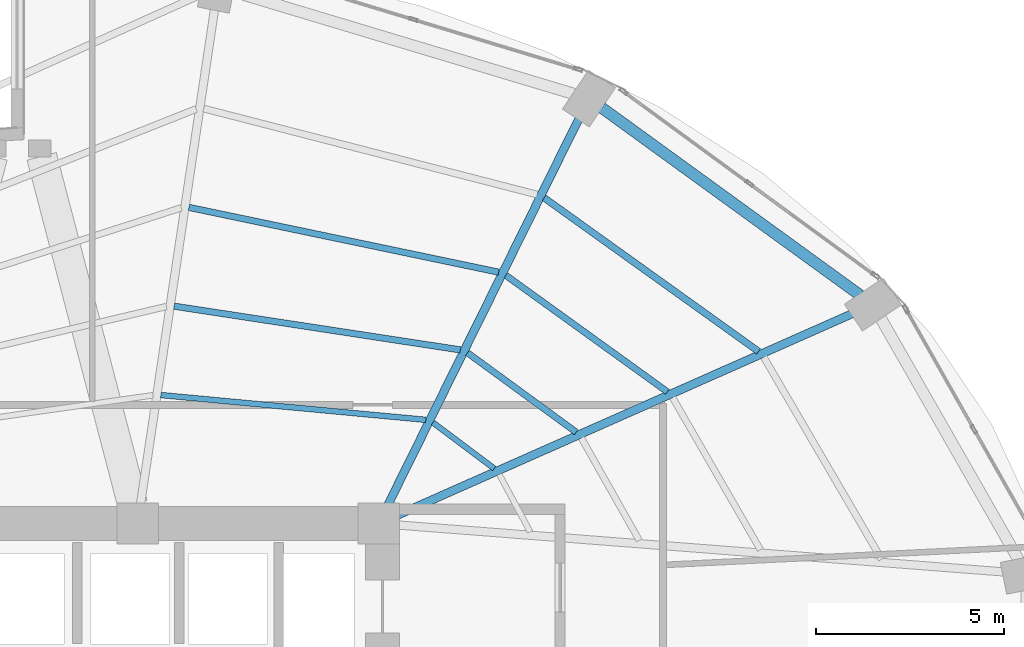
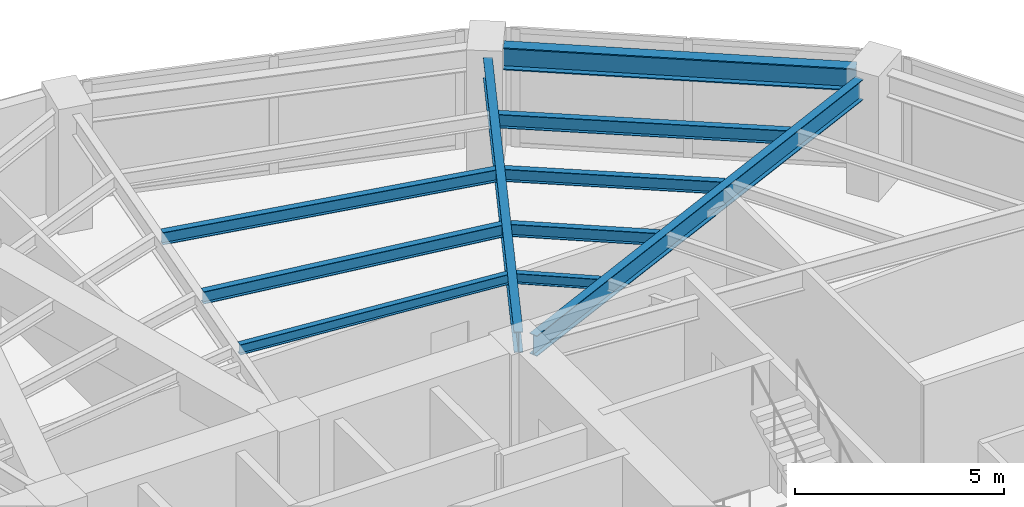
# One storey, part 16 of 24: 10 beams.
"""IFC4 building model written with IfcOpenShell, lengths in metres."""

import ifcopenshell
import ifcopenshell.guid

model = None  # the IFC model being written
_history = None  # IfcOwnerHistory: only IFC2X3 demands one
_inside = {}  # id of a spatial element -> (the spatial element, [elements in it])
_under = {}  # id of a project, library or spatial element -> (it, [spatial elements below it])
_declared = {}  # id of a project -> (the project, [libraries it declares])
_typed = {}  # id of a type object -> (the type object, [elements of that type])
_made_of = {}  # id of a material, layer set ... -> (it, [elements and type objects made of it])


def new_model(schema):
    """Start an empty IFC model of exactly this schema.

    Asked for "IFC4X3", IfcOpenShell would pick the latest addendum, in which some entities
    have other attributes; the version numbers below select the first issue.
    IFC2X3 requires an IfcOwnerHistory on every rooted entity: one is made here for all.
    """
    global model, _history
    if schema == "IFC4X3":
        model = ifcopenshell.file(schema_version=(4, 3, 0, 0))
    else:
        model = ifcopenshell.file(schema=schema)
    _inside.clear()
    _under.clear()
    _declared.clear()
    _typed.clear()
    _made_of.clear()
    _history = None
    if model.schema == "IFC2X3":
        org = make("IfcOrganization", Name="unknown")
        user = make(
            "IfcPersonAndOrganization",
            ThePerson=make("IfcPerson", FamilyName="unknown"),
            TheOrganization=org,
        )
        app = make(
            "IfcApplication",
            ApplicationDeveloper=org,
            Version="unknown",
            ApplicationFullName="unknown",
            ApplicationIdentifier="unknown",
        )
        _history = make(
            "IfcOwnerHistory",
            OwningUser=user,
            OwningApplication=app,
            ChangeAction="ADDED",
            CreationDate=0,
        )
    return model


def make(cls, **values):
    """One entity of the class cls with the attributes given. An attribute that is None is left unset."""
    return model.create_entity(
        cls, **{name: value for name, value in values.items() if value is not None}
    )


def rooted(cls, **values):
    """An entity with a GlobalId (a new one), such as an element, a storey or a relation."""
    return make(cls, GlobalId=ifcopenshell.guid.new(), OwnerHistory=_history, **values)


def si_unit(unit_type, name, prefix=None):
    """IfcSIUnit, for example si_unit("LENGTHUNIT", "METRE", prefix="MILLI")."""
    return make("IfcSIUnit", UnitType=unit_type, Prefix=prefix, Name=name)


def assignment(units):
    """IfcUnitAssignment: the units of a project."""
    return None if units is None else make("IfcUnitAssignment", Units=units)


def point(xyz):
    """IfcCartesianPoint."""
    return None if xyz is None else make("IfcCartesianPoint", Coordinates=xyz)


def direction(xyz):
    """IfcDirection."""
    return None if xyz is None else make("IfcDirection", DirectionRatios=xyz)


def frame(location, z_axis=None, x_axis=None):
    """IfcAxis2Placement3D, a coordinate frame: its origin and axes. An axis left out is left unset."""
    return make(
        "IfcAxis2Placement3D",
        Location=point(location),
        Axis=direction(z_axis),
        RefDirection=direction(x_axis),
    )


def frame_2d(location, x_axis=None):
    """IfcAxis2Placement2D, a coordinate frame in the plane: its origin and x axis."""
    return make(
        "IfcAxis2Placement2D", Location=point(location), RefDirection=direction(x_axis)
    )


def origin():
    """The frame at (0, 0, 0) with its axes left unset."""
    return frame((0.0, 0.0, 0.0))


def origin_2d():
    """The frame at (0, 0) in the plane with its x axis left unset."""
    return frame_2d((0.0, 0.0))


def place(relative_to, where):
    """IfcLocalPlacement: puts the frame where relative to a parent placement (None: the world)."""
    return make(
        "IfcLocalPlacement", PlacementRelTo=relative_to, RelativePlacement=where
    )


def context(
    kind, dimensions, precision=None, world=None, true_north=None, identifier=None
):
    """IfcGeometricRepresentationContext, for example the 3D "Model" context."""
    return make(
        "IfcGeometricRepresentationContext",
        ContextIdentifier=identifier,
        ContextType=kind,
        CoordinateSpaceDimension=dimensions,
        Precision=precision,
        WorldCoordinateSystem=world,
        TrueNorth=true_north,
    )


def subcontext(parent, identifier, kind, view, scale=None):
    """IfcGeometricRepresentationSubContext, for example "Body" below "Model"."""
    return make(
        "IfcGeometricRepresentationSubContext",
        ContextIdentifier=identifier,
        ContextType=kind,
        ParentContext=parent,
        TargetScale=scale,
        TargetView=view,
    )


def project(units=None, contexts=None):
    """IfcProject with its units and contexts."""
    return rooted(
        "IfcProject",
        Name="project",
        RepresentationContexts=contexts,
        UnitsInContext=assignment(units),
    )


def spatial(cls, under=None, at=None, **own):
    """A site, building, storey or space (cls), placed at a placement, below another one or the project."""
    s = rooted(cls, ObjectPlacement=at, **own)
    if under is not None:
        _under.setdefault(under.id(), (under, []))[1].append(s)
    return s


def profile(cls, at=None, kind="AREA", **sizes):
    """A parametric profile (cls). Its sizes go by their IFC names, for example OverallWidth=200.0."""
    return make(cls, ProfileType=kind, Position=at, **sizes)


def i_section(**sizes):
    """IfcIShapeProfileDef."""
    return profile("IfcIShapeProfileDef", **sizes)


def extrude(swept, where, along, depth):
    """IfcExtrudedAreaSolid: the profile swept, set in the frame where, extruded along a direction by depth."""
    return make(
        "IfcExtrudedAreaSolid",
        SweptArea=swept,
        Position=where,
        ExtrudedDirection=direction(along),
        Depth=depth,
    )


def shape(context_of_items, identifier, shape_type, items):
    """IfcShapeRepresentation: the items that make up one representation, for example the "Body"."""
    return make(
        "IfcShapeRepresentation",
        ContextOfItems=context_of_items,
        RepresentationIdentifier=identifier,
        RepresentationType=shape_type,
        Items=items,
    )


def material(Name=None, Category=None):
    """IfcMaterial."""
    return make("IfcMaterial", Name=Name, Category=Category)


def material_profile(
    of_material, cross_section, Name=None, Category=None, Priority=None
):
    """IfcMaterialProfile: a cross section and its material."""
    return make(
        "IfcMaterialProfile",
        Name=Name,
        Material=of_material,
        Profile=cross_section,
        Priority=Priority,
        Category=Category,
    )


def profile_set(profiles, Name=None, composite=None):
    """IfcMaterialProfileSet."""
    return make(
        "IfcMaterialProfileSet",
        Name=Name,
        MaterialProfiles=profiles,
        CompositeProfile=composite,
    )


def made_of(thing, what):
    """Note that an element or type object is made of a material, layer set ...; save() writes the relation."""
    if what is not None:
        _made_of.setdefault(what.id(), (what, []))[1].append(thing)
    return thing


def type_object(cls, material=None, **own):
    """A type object (cls), such as IfcWallType, which elements share."""
    return made_of(rooted(cls, **own), material)


def element(
    cls,
    number,
    at=None,
    inside=None,
    cuts=None,
    type_object=None,
    material=None,
    context=None,
    identifier="Body",
    shape_type=None,
    held_by="IfcProductDefinitionShape",
    body=None,
    shapes=None,
    **own,
):
    """One element of the class cls, such as IfcWall. Its Tag is "e" and its number.

    at: its placement. inside: the storey or other place that contains it. cuts: it is an
    opening in that element (IfcRelVoidsElement). A single representation is given by context,
    identifier, shape_type and body (its items); several are given by shapes. held_by: the class
    of the entity that holds the representations. save() writes the other relations.
    """
    e = rooted(cls, Tag="e%d" % number, ObjectPlacement=at, **own)
    if body is not None:
        shapes = [shape(context, identifier, shape_type, body)]
    if shapes is not None:
        e.Representation = make(held_by, Representations=shapes)
    if inside is not None:
        _inside.setdefault(inside.id(), (inside, []))[1].append(e)
    if cuts is not None:
        rooted(
            "IfcRelVoidsElement", RelatingBuildingElement=cuts, RelatedOpeningElement=e
        )
    if type_object is not None:
        _typed.setdefault(type_object.id(), (type_object, []))[1].append(e)
    return made_of(e, material)


def aggregate(whole, parts):
    """IfcRelAggregates: a whole, such as a stair, and the parts it consists of."""
    return rooted("IfcRelAggregates", RelatingObject=whole, RelatedObjects=parts)


def save(model, path):
    """Write the relations noted so far, then the file.

    IfcRelAggregates (storeys below a building ...), IfcRelContainedInSpatialStructure (elements
    in a storey), IfcRelDefinesByType, IfcRelAssociatesMaterial and IfcRelDeclares: one each for
    every whole, place, type object, material and project.
    """
    for whole, parts in _under.values():
        aggregate(whole, parts)
    for where, things in _inside.values():
        rooted(
            "IfcRelContainedInSpatialStructure",
            RelatedElements=things,
            RelatingStructure=where,
        )
    for kind, things in _typed.values():
        rooted("IfcRelDefinesByType", RelatedObjects=things, RelatingType=kind)
    for what, things in _made_of.values():
        rooted("IfcRelAssociatesMaterial", RelatedObjects=things, RelatingMaterial=what)
    for by, libraries in _declared.values():
        rooted("IfcRelDeclares", RelatingContext=by, RelatedDefinitions=libraries)
    model.write(path)


model = new_model("IFC4")

# Units and contexts
model_context = context("Model", 3, precision=1e-05, world=origin(), true_north=direction((0.0, 1.0)))
body_context = subcontext(model_context, "Body", "Model", "MODEL_VIEW")
ifc_project = project(units=[si_unit("LENGTHUNIT", "METRE"), si_unit("AREAUNIT", "SQUARE_METRE"), si_unit("VOLUMEUNIT", "CUBIC_METRE"), si_unit("PLANEANGLEUNIT", "RADIAN"), si_unit("MASSUNIT", "GRAM", prefix="KILO")], contexts=[model_context])

# Site, building, storey
site_placement = place(None, origin())
site = spatial("IfcSite", under=ifc_project, at=site_placement, CompositionType="ELEMENT")
building_placement = place(site_placement, origin())
building = spatial("IfcBuilding", under=site, at=building_placement, Name="Lazwardi Medical Tower", CompositionType="ELEMENT")
storey_placement = place(building_placement, frame((0.0, 0.0, 61.679931640625)))
storey = spatial("IfcBuildingStorey", under=building, at=storey_placement, Name="L15", CompositionType="ELEMENT", Elevation=61.679931640625)

# Beams
ifc_material = material(Name="Steel S355", Category="steel")
ifc_material_profile_1 = material_profile(ifc_material, i_section(OverallWidth=0.300048828125, OverallDepth=0.64990234375, WebThickness=0.01611328125, FlangeThickness=0.031005859375, at=origin_2d()), Name="HEB 650")
ifc_profile_set_1 = profile_set([ifc_material_profile_1], Name="Steel S355")
beam_type_1 = type_object("IfcBeamType", Name="BM-RB-Z1", PredefinedType="BEAM", material=ifc_profile_set_1)
beam_1_placement = place(storey_placement, frame((58.3798828125, 41.660888671875, 3.10302734375), z_axis=(-0.809407079515, 0.587247971159, 0.0), x_axis=(-0.587247971159, -0.809407079515, 0.0)))
element("IfcBeam", 1, at=beam_1_placement, inside=storey, type_object=beam_type_1, Name="Ring beam RB-02 B06 L15", PredefinedType="BEAM", context=body_context, shape_type="SweptSolid", body=[
    extrude(i_section(OverallWidth=0.300048828125, OverallDepth=0.64990234375, WebThickness=0.01611328125, FlangeThickness=0.031005859375, at=origin_2d()), origin(), (0.0, 0.0, 1.0), 8.473876953125),
])
ifc_material_profile_2 = material_profile(ifc_material, i_section(OverallWidth=0.219970703125, OverallDepth=0.60009765625, WebThickness=0.011962890625, FlangeThickness=0.01904296875, at=origin_2d()), Name="IPE 600")
ifc_profile_set_2 = profile_set([ifc_material_profile_2], Name="Steel S355")
beam_type_2 = type_object("IfcBeamType", Name="BM-RG-W1", PredefinedType="BEAM", material=ifc_profile_set_2)
beam_2_placement = place(storey_placement, frame((58.189697265625, 41.17919921875, 3.128173828125), z_axis=(-0.914252189566, -0.405145571214, 0.0), x_axis=(0.405145571214, -0.914252189566, 0.0)))
element("IfcBeam", 2, at=beam_2_placement, inside=storey, type_object=beam_type_2, Name="Radial girder RG-02 R06 L15", PredefinedType="BEAM", context=body_context, shape_type="SweptSolid", body=[
    extrude(i_section(OverallWidth=0.219970703125, OverallDepth=0.60009765625, WebThickness=0.011962890625, FlangeThickness=0.01904296875, at=origin_2d()), origin(), (0.0, 0.0, 1.0), 13.235595703125),
])
beam_3_placement = place(storey_placement, frame((50.923828125, 46.364013671875, 3.128173828125), z_axis=(-0.443336723706, -0.896355146922, 0.0), x_axis=(0.896355146922, -0.443336723706, 0.0)))
element("IfcBeam", 3, at=beam_3_placement, inside=storey, type_object=beam_type_2, Name="Radial girder RG-02 R07 L15", PredefinedType="BEAM", context=body_context, shape_type="SweptSolid", body=[
    extrude(i_section(OverallWidth=0.219970703125, OverallDepth=0.60009765625, WebThickness=0.011962890625, FlangeThickness=0.01904296875, at=origin_2d()), origin(), (0.0, 0.0, 1.0), 11.4736328125),
])
ifc_material_profile_3 = material_profile(ifc_material, i_section(OverallWidth=0.179931640625, OverallDepth=0.39990234375, WebThickness=0.008544921875, FlangeThickness=0.013427734375, at=origin_2d()), Name="IPE 400")
ifc_profile_set_3 = profile_set([ifc_material_profile_3], Name="Steel S355")
beam_type_3 = type_object("IfcBeamType", Name="BM-SJ-01", PredefinedType="JOIST", material=ifc_profile_set_3)
beam_4_placement = place(storey_placement, frame((55.68408203125, 40.16796875, 3.22802734375), z_axis=(-0.812901036873, 0.582401840872, 0.0), x_axis=(-0.582401840872, -0.812901036873, 0.0)))
element("IfcBeam", 4, at=beam_4_placement, inside=storey, type_object=beam_type_3, Name="Secondary joist SJ-01 R1 B06 L15", PredefinedType="JOIST", context=body_context, shape_type="SweptSolid", body=[
    extrude(i_section(OverallWidth=0.179931640625, OverallDepth=0.39990234375, WebThickness=0.008544921875, FlangeThickness=0.013427734375, at=origin_2d()), origin(), (0.0, 0.0, 1.0), 7.002197265625),
])
ifc_material_profile_4 = material_profile(ifc_material, i_section(OverallWidth=0.169921875, OverallDepth=0.360107421875, WebThickness=0.008056640625, FlangeThickness=0.0126953125, at=origin_2d()), Name="IPE 360")
ifc_profile_set_4 = profile_set([ifc_material_profile_4], Name="Steel S355")
beam_type_4 = type_object("IfcBeamType", Name="BM-SJ-02", PredefinedType="JOIST", material=ifc_profile_set_4)
beam_5_placement = place(storey_placement, frame((53.26416015625, 39.095703125, 3.248046875), z_axis=(-0.811142764961, 0.584848198127, 0.0), x_axis=(-0.584848198127, -0.811142764961, 0.0)))
element("IfcBeam", 5, at=beam_5_placement, inside=storey, type_object=beam_type_4, Name="Secondary joist SJ-02 R2 B06 L15", PredefinedType="JOIST", context=body_context, shape_type="SweptSolid", body=[
    extrude(i_section(OverallWidth=0.169921875, OverallDepth=0.360107421875, WebThickness=0.008056640625, FlangeThickness=0.0126953125, at=origin_2d()), origin(), (0.0, 0.0, 1.0), 5.28857421875),
])
beam_6_placement = place(storey_placement, frame((48.786376953125, 42.271728515625, 3.248046875), z_axis=(-0.978809182847, 0.204774470026, 0.0), x_axis=(-0.204774470026, -0.978809182847, 0.0)))
element("IfcBeam", 6, at=beam_6_placement, inside=storey, type_object=beam_type_4, Name="Secondary joist SJ-02 R2 B07 L15", PredefinedType="JOIST", context=body_context, shape_type="SweptSolid", body=[
    extrude(i_section(OverallWidth=0.169921875, OverallDepth=0.360107421875, WebThickness=0.008056640625, FlangeThickness=0.0126953125, at=origin_2d()), origin(), (0.0, 0.0, 1.0), 8.40283203125),
])
beam_7_placement = place(storey_placement, frame((50.844482421875, 38.023681640625, 3.248046875), z_axis=(-0.80770129933, 0.589591902132, 0.0), x_axis=(-0.589591902132, -0.80770129933, 0.0)))
element("IfcBeam", 7, at=beam_7_placement, inside=storey, type_object=beam_type_4, Name="Secondary joist SJ-02 R3 B06 L15", PredefinedType="JOIST", context=body_context, shape_type="SweptSolid", body=[
    extrude(i_section(OverallWidth=0.169921875, OverallDepth=0.360107421875, WebThickness=0.008056640625, FlangeThickness=0.0126953125, at=origin_2d()), origin(), (0.0, 0.0, 1.0), 3.5751953125),
])
beam_8_placement = place(storey_placement, frame((47.76806640625, 40.209228515625, 3.248046875), z_axis=(-0.988535611365, 0.150987897074, 0.0), x_axis=(-0.150987897074, -0.988535611365, 0.0)))
element("IfcBeam", 8, at=beam_8_placement, inside=storey, type_object=beam_type_4, Name="Secondary joist SJ-02 R3 B07 L15", PredefinedType="JOIST", context=body_context, shape_type="SweptSolid", body=[
    extrude(i_section(OverallWidth=0.169921875, OverallDepth=0.360107421875, WebThickness=0.008056640625, FlangeThickness=0.0126953125, at=origin_2d()), origin(), (0.0, 0.0, 1.0), 7.68701171875),
])
ifc_material_profile_5 = material_profile(ifc_material, i_section(OverallWidth=0.14990234375, OverallDepth=0.300048828125, WebThickness=0.007080078125, FlangeThickness=0.0107421875, at=origin_2d()), Name="IPE 300")
ifc_profile_set_5 = profile_set([ifc_material_profile_5], Name="Steel S355")
beam_type_5 = type_object("IfcBeamType", Name="BM-SJ-03", PredefinedType="JOIST", material=ifc_profile_set_5)
beam_9_placement = place(storey_placement, frame((48.667236328125, 37.0595703125, 3.278076171875), z_axis=(-0.800115247939, 0.599846305328, 0.0), x_axis=(-0.599846305328, -0.800115247939, 0.0)))
element("IfcBeam", 9, at=beam_9_placement, inside=storey, type_object=beam_type_5, Name="Secondary joist SJ-03 R4 B06 L15", PredefinedType="JOIST", context=body_context, shape_type="SweptSolid", body=[
    extrude(i_section(OverallWidth=0.14990234375, OverallDepth=0.300048828125, WebThickness=0.007080078125, FlangeThickness=0.0107421875, at=origin_2d()), origin(), (0.0, 0.0, 1.0), 2.033447265625),
])
beam_10_placement = place(storey_placement, frame((46.851806640625, 38.35205078125, 3.278076171875), z_axis=(-0.995649263748, 0.093180167407, 0.0), x_axis=(-0.093180167407, -0.995649263748, 0.0)))
element("IfcBeam", 10, at=beam_10_placement, inside=storey, type_object=beam_type_5, Name="Secondary joist SJ-03 R4 B07 L15", PredefinedType="JOIST", context=body_context, shape_type="SweptSolid", body=[
    extrude(i_section(OverallWidth=0.14990234375, OverallDepth=0.300048828125, WebThickness=0.007080078125, FlangeThickness=0.0107421875, at=origin_2d()), origin(), (0.0, 0.0, 1.0), 7.06640625),
])

save(model, "model.ifc")
